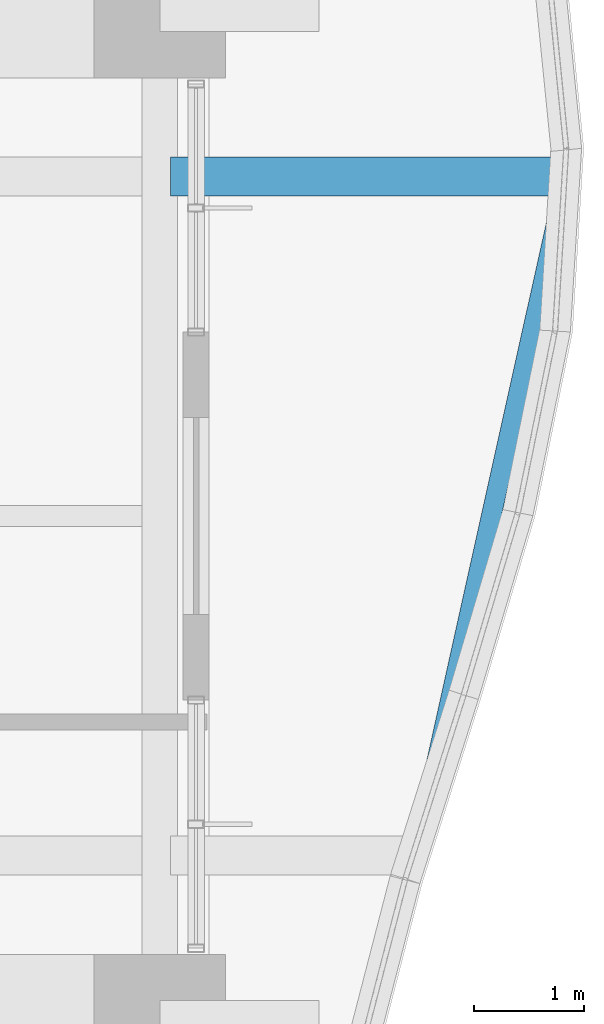
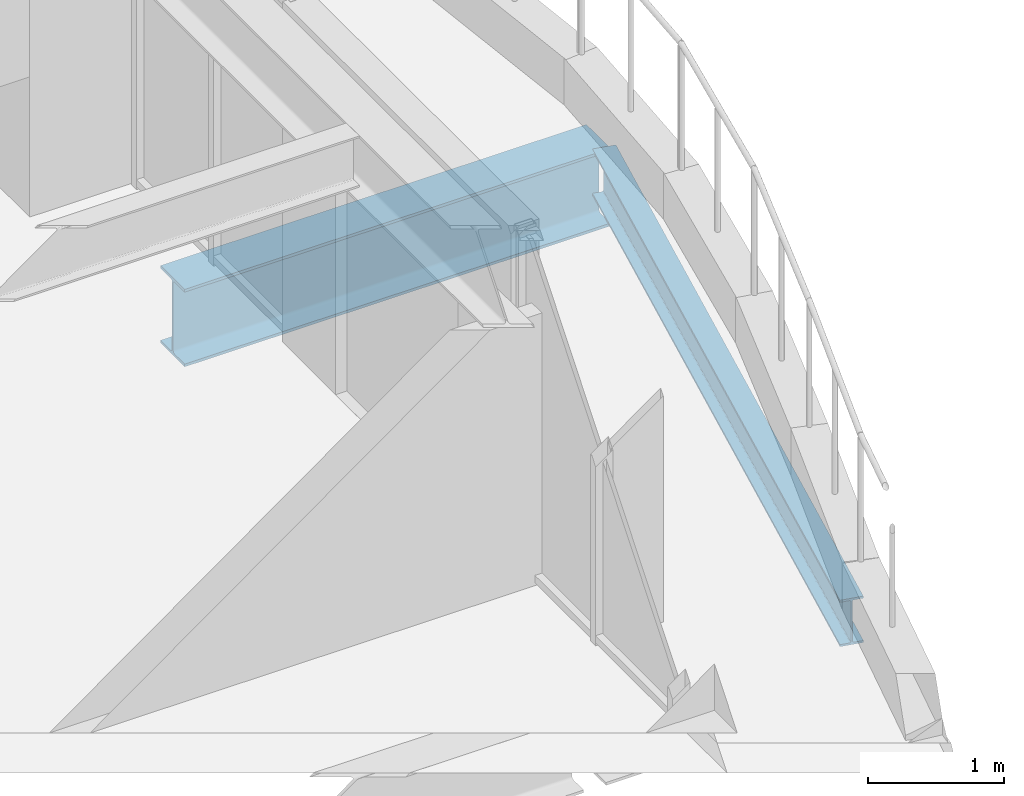
# One storey, part 19 of 39: 2 beams.
"""IFC4 building model written with IfcOpenShell, lengths in metres."""

import ifcopenshell
import ifcopenshell.guid

model = None  # the IFC model being written
_history = None  # IfcOwnerHistory: only IFC2X3 demands one
_inside = {}  # id of a spatial element -> (the spatial element, [elements in it])
_under = {}  # id of a project, library or spatial element -> (it, [spatial elements below it])
_declared = {}  # id of a project -> (the project, [libraries it declares])
_typed = {}  # id of a type object -> (the type object, [elements of that type])
_made_of = {}  # id of a material, layer set ... -> (it, [elements and type objects made of it])


def new_model(schema):
    """Start an empty IFC model of exactly this schema.

    Asked for "IFC4X3", IfcOpenShell would pick the latest addendum, in which some entities
    have other attributes; the version numbers below select the first issue.
    IFC2X3 requires an IfcOwnerHistory on every rooted entity: one is made here for all.
    """
    global model, _history
    if schema == "IFC4X3":
        model = ifcopenshell.file(schema_version=(4, 3, 0, 0))
    else:
        model = ifcopenshell.file(schema=schema)
    _inside.clear()
    _under.clear()
    _declared.clear()
    _typed.clear()
    _made_of.clear()
    _history = None
    if model.schema == "IFC2X3":
        org = make("IfcOrganization", Name="unknown")
        user = make(
            "IfcPersonAndOrganization",
            ThePerson=make("IfcPerson", FamilyName="unknown"),
            TheOrganization=org,
        )
        app = make(
            "IfcApplication",
            ApplicationDeveloper=org,
            Version="unknown",
            ApplicationFullName="unknown",
            ApplicationIdentifier="unknown",
        )
        _history = make(
            "IfcOwnerHistory",
            OwningUser=user,
            OwningApplication=app,
            ChangeAction="ADDED",
            CreationDate=0,
        )
    return model


def make(cls, **values):
    """One entity of the class cls with the attributes given. An attribute that is None is left unset."""
    return model.create_entity(
        cls, **{name: value for name, value in values.items() if value is not None}
    )


def rooted(cls, **values):
    """An entity with a GlobalId (a new one), such as an element, a storey or a relation."""
    return make(cls, GlobalId=ifcopenshell.guid.new(), OwnerHistory=_history, **values)


def si_unit(unit_type, name, prefix=None):
    """IfcSIUnit, for example si_unit("LENGTHUNIT", "METRE", prefix="MILLI")."""
    return make("IfcSIUnit", UnitType=unit_type, Prefix=prefix, Name=name)


def assignment(units):
    """IfcUnitAssignment: the units of a project."""
    return None if units is None else make("IfcUnitAssignment", Units=units)


def point(xyz):
    """IfcCartesianPoint."""
    return None if xyz is None else make("IfcCartesianPoint", Coordinates=xyz)


def direction(xyz):
    """IfcDirection."""
    return None if xyz is None else make("IfcDirection", DirectionRatios=xyz)


def frame(location, z_axis=None, x_axis=None):
    """IfcAxis2Placement3D, a coordinate frame: its origin and axes. An axis left out is left unset."""
    return make(
        "IfcAxis2Placement3D",
        Location=point(location),
        Axis=direction(z_axis),
        RefDirection=direction(x_axis),
    )


def frame_2d(location, x_axis=None):
    """IfcAxis2Placement2D, a coordinate frame in the plane: its origin and x axis."""
    return make(
        "IfcAxis2Placement2D", Location=point(location), RefDirection=direction(x_axis)
    )


def origin():
    """The frame at (0, 0, 0) with its axes left unset."""
    return frame((0.0, 0.0, 0.0))


def origin_2d():
    """The frame at (0, 0) in the plane with its x axis left unset."""
    return frame_2d((0.0, 0.0))


def place(relative_to, where):
    """IfcLocalPlacement: puts the frame where relative to a parent placement (None: the world)."""
    return make(
        "IfcLocalPlacement", PlacementRelTo=relative_to, RelativePlacement=where
    )


def context(
    kind, dimensions, precision=None, world=None, true_north=None, identifier=None
):
    """IfcGeometricRepresentationContext, for example the 3D "Model" context."""
    return make(
        "IfcGeometricRepresentationContext",
        ContextIdentifier=identifier,
        ContextType=kind,
        CoordinateSpaceDimension=dimensions,
        Precision=precision,
        WorldCoordinateSystem=world,
        TrueNorth=true_north,
    )


def subcontext(parent, identifier, kind, view, scale=None):
    """IfcGeometricRepresentationSubContext, for example "Body" below "Model"."""
    return make(
        "IfcGeometricRepresentationSubContext",
        ContextIdentifier=identifier,
        ContextType=kind,
        ParentContext=parent,
        TargetScale=scale,
        TargetView=view,
    )


def project(units=None, contexts=None):
    """IfcProject with its units and contexts."""
    return rooted(
        "IfcProject",
        Name="project",
        RepresentationContexts=contexts,
        UnitsInContext=assignment(units),
    )


def spatial(cls, under=None, at=None, **own):
    """A site, building, storey or space (cls), placed at a placement, below another one or the project."""
    s = rooted(cls, ObjectPlacement=at, **own)
    if under is not None:
        _under.setdefault(under.id(), (under, []))[1].append(s)
    return s


def profile(cls, at=None, kind="AREA", **sizes):
    """A parametric profile (cls). Its sizes go by their IFC names, for example OverallWidth=200.0."""
    return make(cls, ProfileType=kind, Position=at, **sizes)


def i_section(**sizes):
    """IfcIShapeProfileDef."""
    return profile("IfcIShapeProfileDef", **sizes)


def extrude(swept, where, along, depth):
    """IfcExtrudedAreaSolid: the profile swept, set in the frame where, extruded along a direction by depth."""
    return make(
        "IfcExtrudedAreaSolid",
        SweptArea=swept,
        Position=where,
        ExtrudedDirection=direction(along),
        Depth=depth,
    )


def shape(context_of_items, identifier, shape_type, items):
    """IfcShapeRepresentation: the items that make up one representation, for example the "Body"."""
    return make(
        "IfcShapeRepresentation",
        ContextOfItems=context_of_items,
        RepresentationIdentifier=identifier,
        RepresentationType=shape_type,
        Items=items,
    )


def material(Name=None, Category=None):
    """IfcMaterial."""
    return make("IfcMaterial", Name=Name, Category=Category)


def material_profile(
    of_material, cross_section, Name=None, Category=None, Priority=None
):
    """IfcMaterialProfile: a cross section and its material."""
    return make(
        "IfcMaterialProfile",
        Name=Name,
        Material=of_material,
        Profile=cross_section,
        Priority=Priority,
        Category=Category,
    )


def profile_set(profiles, Name=None, composite=None):
    """IfcMaterialProfileSet."""
    return make(
        "IfcMaterialProfileSet",
        Name=Name,
        MaterialProfiles=profiles,
        CompositeProfile=composite,
    )


def made_of(thing, what):
    """Note that an element or type object is made of a material, layer set ...; save() writes the relation."""
    if what is not None:
        _made_of.setdefault(what.id(), (what, []))[1].append(thing)
    return thing


def type_object(cls, material=None, **own):
    """A type object (cls), such as IfcWallType, which elements share."""
    return made_of(rooted(cls, **own), material)


def element(
    cls,
    number,
    at=None,
    inside=None,
    cuts=None,
    type_object=None,
    material=None,
    context=None,
    identifier="Body",
    shape_type=None,
    held_by="IfcProductDefinitionShape",
    body=None,
    shapes=None,
    **own,
):
    """One element of the class cls, such as IfcWall. Its Tag is "e" and its number.

    at: its placement. inside: the storey or other place that contains it. cuts: it is an
    opening in that element (IfcRelVoidsElement). A single representation is given by context,
    identifier, shape_type and body (its items); several are given by shapes. held_by: the class
    of the entity that holds the representations. save() writes the other relations.
    """
    e = rooted(cls, Tag="e%d" % number, ObjectPlacement=at, **own)
    if body is not None:
        shapes = [shape(context, identifier, shape_type, body)]
    if shapes is not None:
        e.Representation = make(held_by, Representations=shapes)
    if inside is not None:
        _inside.setdefault(inside.id(), (inside, []))[1].append(e)
    if cuts is not None:
        rooted(
            "IfcRelVoidsElement", RelatingBuildingElement=cuts, RelatedOpeningElement=e
        )
    if type_object is not None:
        _typed.setdefault(type_object.id(), (type_object, []))[1].append(e)
    return made_of(e, material)


def aggregate(whole, parts):
    """IfcRelAggregates: a whole, such as a stair, and the parts it consists of."""
    return rooted("IfcRelAggregates", RelatingObject=whole, RelatedObjects=parts)


def save(model, path):
    """Write the relations noted so far, then the file.

    IfcRelAggregates (storeys below a building ...), IfcRelContainedInSpatialStructure (elements
    in a storey), IfcRelDefinesByType, IfcRelAssociatesMaterial and IfcRelDeclares: one each for
    every whole, place, type object, material and project.
    """
    for whole, parts in _under.values():
        aggregate(whole, parts)
    for where, things in _inside.values():
        rooted(
            "IfcRelContainedInSpatialStructure",
            RelatedElements=things,
            RelatingStructure=where,
        )
    for kind, things in _typed.values():
        rooted("IfcRelDefinesByType", RelatedObjects=things, RelatingType=kind)
    for what, things in _made_of.values():
        rooted("IfcRelAssociatesMaterial", RelatedObjects=things, RelatingMaterial=what)
    for by, libraries in _declared.values():
        rooted("IfcRelDeclares", RelatingContext=by, RelatedDefinitions=libraries)
    model.write(path)


model = new_model("IFC4")

# Units and contexts
model_context = context("Model", 3, precision=1e-05, world=origin(), true_north=direction((0.0, 1.0)))
body_context = subcontext(model_context, "Body", "Model", "MODEL_VIEW")
ifc_project = project(units=[si_unit("LENGTHUNIT", "METRE"), si_unit("AREAUNIT", "SQUARE_METRE"), si_unit("VOLUMEUNIT", "CUBIC_METRE"), si_unit("PLANEANGLEUNIT", "RADIAN"), si_unit("MASSUNIT", "GRAM", prefix="KILO")], contexts=[model_context])

# Site, building, storey
site_placement = place(None, origin())
site = spatial("IfcSite", under=ifc_project, at=site_placement, CompositionType="ELEMENT")
building_placement = place(site_placement, origin())
building = spatial("IfcBuilding", under=site, at=building_placement, Name="Kolvaren Belvedere", CompositionType="ELEMENT")
storey_placement = place(building_placement, frame((0.0, 0.0, 40.300048828125)))
storey = spatial("IfcBuildingStorey", under=building, at=storey_placement, Name="L11", CompositionType="ELEMENT", Elevation=40.300048828125)

# Beams
ifc_material_1 = material(Name="Structural steel ASTM A992 Grade 50", Category="steel")
ifc_material_profile_1 = material_profile(ifc_material_1, i_section(OverallWidth=0.35498046875, OverallDepth=0.696044921875, WebThickness=0.015380859375, FlangeThickness=0.02490234375, FilletRadius=0.02197265625, at=origin_2d()), Name="W27X146")
ifc_profile_set_1 = profile_set([ifc_material_profile_1], Name="Structural steel ASTM A992 Grade 50")
beam_type_1 = type_object("IfcBeamType", Name="BM-CANT-BAL", PredefinedType="BEAM", material=ifc_profile_set_1)
beam_1_placement = place(storey_placement, frame((21.64501953125, 3.10009765625, -0.588134765625), z_axis=(1.0, 0.0, 0.0), x_axis=(0.0, 1.0, 0.0)))
element("IfcBeam", 1, at=beam_1_placement, inside=storey, type_object=beam_type_1, Name="L11 Planted Balcony Cantilever BAL-E-2", PredefinedType="BEAM", context=body_context, shape_type="SweptSolid", body=[
    extrude(i_section(OverallWidth=0.35498046875, OverallDepth=0.696044921875, WebThickness=0.015380859375, FlangeThickness=0.02490234375, FilletRadius=0.02197265625, at=origin_2d()), origin(), (0.0, 0.0, 1.0), 3.619140625),
])
ifc_material_2 = material(Name="Structural steel ASTM A992 Grade 50", Category="steel")
ifc_material_profile_2 = material_profile(ifc_material_2, i_section(OverallWidth=0.180908203125, OverallDepth=0.4169921875, WebThickness=0.010986328125, FlangeThickness=0.018310546875, FilletRadius=0.013916015625, at=origin_2d()), Name="W16X57")
ifc_profile_set_2 = profile_set([ifc_material_profile_2], Name="Structural steel ASTM A992 Grade 50")
beam_type_2 = type_object("IfcBeamType", Name="BM-EDGE-W16X57", PredefinedType="BEAM", material=ifc_profile_set_2)
beam_2_placement = place(storey_placement, frame((23.915283203125, -2.96337890625, -0.448486328125), z_axis=(0.217134815244, 0.976141624975, 0.0), x_axis=(-0.976141624975, 0.217134815244, 0.0)))
element("IfcBeam", 2, at=beam_2_placement, inside=storey, type_object=beam_type_2, Name="L11 Balcony Tip Header Beam BAL-E", PredefinedType="BEAM", context=body_context, shape_type="SweptSolid", body=[
    extrude(i_section(OverallWidth=0.180908203125, OverallDepth=0.4169921875, WebThickness=0.010986328125, FlangeThickness=0.018310546875, FilletRadius=0.013916015625, at=origin_2d()), origin(), (0.0, 0.0, 1.0), 6.071533203125),
])

save(model, "model.ifc")
